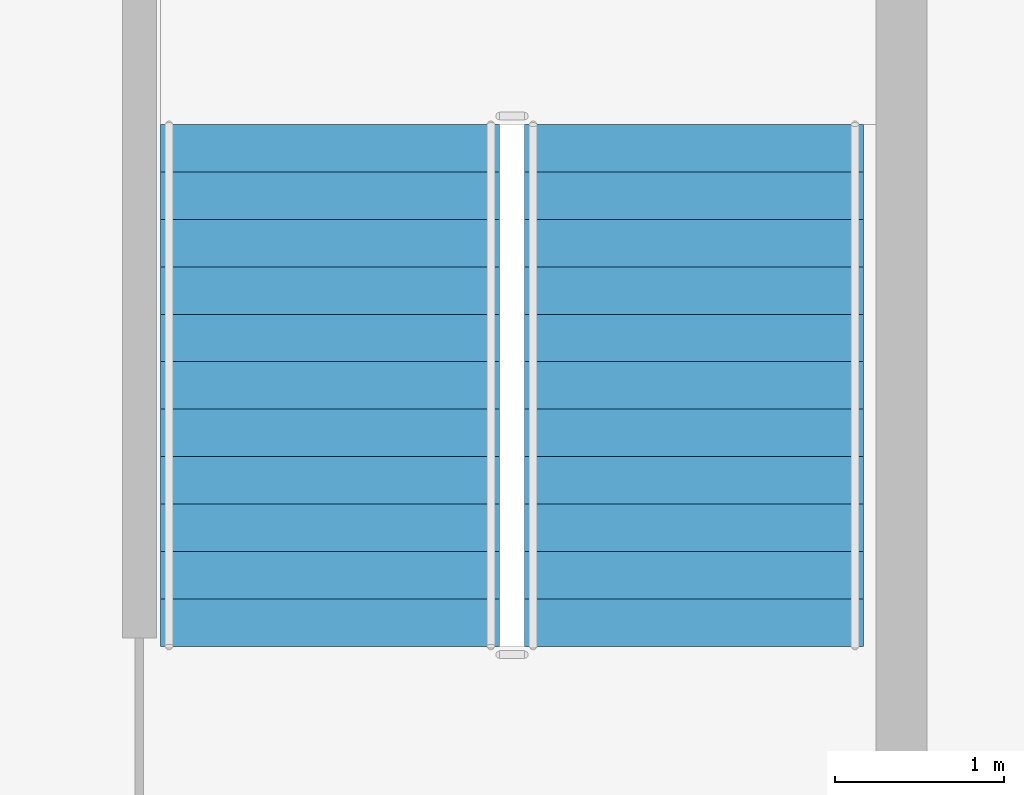
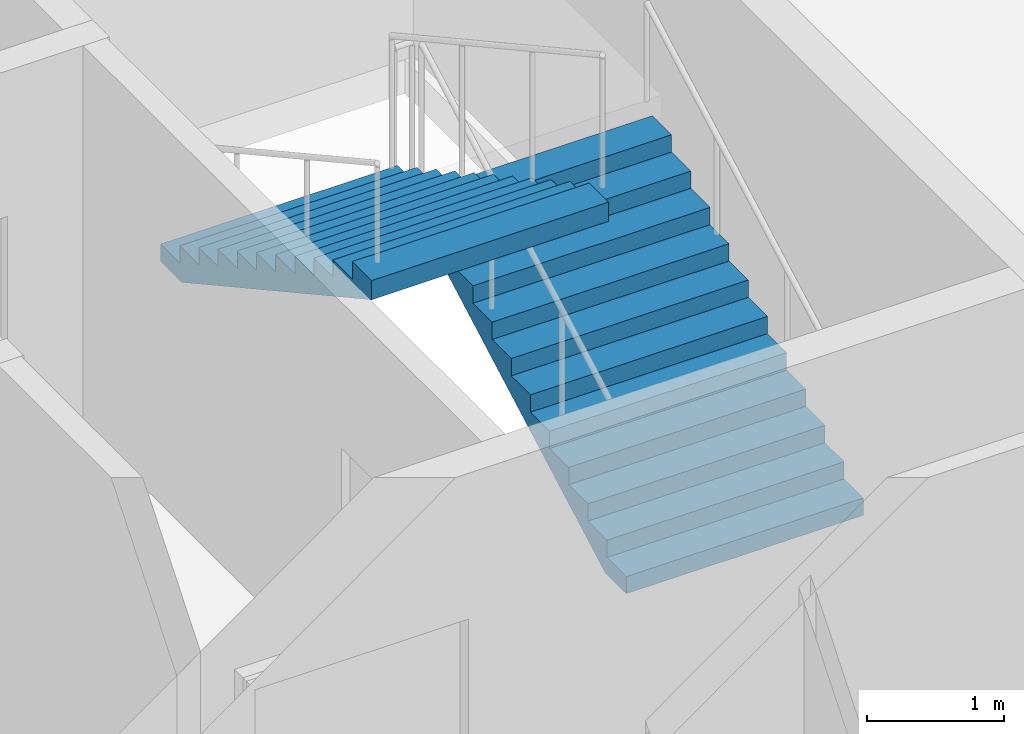
# One storey, part 8 of 11: 2 stair flights, 1 element without a shape of its own.
"""IFC4 building model written with IfcOpenShell, lengths in metres."""

from ifc_helpers import new_model, si_unit, direction, frame, origin, place, context, subcontext, project, spatial, polygons, material, type_object, element, aggregate, save


model = new_model("IFC4")

# Units and contexts
model_context = context("Model", 3, precision=1e-05, world=origin(), true_north=direction((0.0, 1.0)))
body_context = subcontext(model_context, "Body", "Model", "MODEL_VIEW")
ifc_project = project(units=[si_unit("LENGTHUNIT", "METRE"), si_unit("AREAUNIT", "SQUARE_METRE"), si_unit("VOLUMEUNIT", "CUBIC_METRE"), si_unit("PLANEANGLEUNIT", "RADIAN"), si_unit("MASSUNIT", "GRAM", prefix="KILO")], contexts=[model_context])

# Site, building, storey
site_placement = place(None, origin())
site = spatial("IfcSite", under=ifc_project, at=site_placement, CompositionType="ELEMENT")
building_placement = place(site_placement, origin())
building = spatial("IfcBuilding", under=site, at=building_placement, Name="Caravel Reach Hotel and Residences", CompositionType="ELEMENT")
storey_placement = place(building_placement, frame((0.0, 0.0, 298.199951171875)))
storey = spatial("IfcBuildingStorey", under=building, at=storey_placement, Name="L76", CompositionType="ELEMENT", Elevation=298.199951171875)

# Stair, stair flights
ifc_material_1 = material(Name="Concrete C40", Category="concrete")
stair_type = type_object("IfcStairType", Name="Core stair", PredefinedType="HALF_TURN_STAIR", material=ifc_material_1)
stair_placement = place(storey_placement, origin())
stair = element("IfcStair", 1, at=stair_placement, inside=storey, type_object=stair_type, Name="L76 Exit stair B", PredefinedType="HALF_TURN_STAIR")
ifc_material_2 = material(Name="Concrete C40", Category="concrete")
stair_flight_type = type_object("IfcStairFlightType", Name="Core stair flight", PredefinedType="STRAIGHT", material=ifc_material_2)
stair_flight_1_placement = place(storey_placement, frame((43.77490234375, 24.64990234375, 0.0), z_axis=(0.0, 0.0, 1.0), x_axis=(0.0, 1.0, 0.0)))
stair_flight_1 = element("IfcStairFlight", 2, at=stair_flight_1_placement, type_object=stair_flight_type, Name="ST-B flight 1", NumberOfRisers=12, NumberOfTreads=11, PredefinedType="STRAIGHT", RiserHeight=0.154166667, TreadLength=0.28, context=body_context, shape_type="Tessellation", body=[
    polygons([(0.3107950034306102, 1.0, 0.0), (0.3107950034306102, 0.6666666666666667, 0.0), (0.3107950034306102, 0.33333333333333337, 0.0), (0.3107950034306102, 0.0, 0.0), (0.3107950034306102, -0.33333333333333326, 0.0), (0.3107950034306102, -0.6666666666666667, 0.0), (0.3107950034306102, -1.0, 0.0), (3.081, 1.0, 1.524711087717319), (3.081, 0.6666666666666667, 1.524711087717319), (3.081, 0.33333333333333337, 1.524711087717319), (3.081, 0.0, 1.524711087717319), (3.081, -0.33333333333333326, 1.524711087717319), (3.081, -0.6666666666666667, 1.524711087717319), (3.081, -1.0, 1.524711087717319), (3.081, 1.0, 1.695833337), (3.081, 0.6666666666666667, 1.695833337), (3.081, 0.33333333333333337, 1.695833337), (3.081, 0.0, 1.695833337), (3.081, -0.33333333333333326, 1.695833337), (3.081, -0.6666666666666667, 1.695833337), (3.081, -1.0, 1.695833337), (2.8000000000000003, 1.0, 1.695833337), (2.8000000000000003, 0.6666666666666667, 1.695833337), (2.8000000000000003, 0.33333333333333337, 1.695833337), (2.8000000000000003, 0.0, 1.695833337), (2.8000000000000003, -0.33333333333333326, 1.695833337), (2.8000000000000003, -0.6666666666666667, 1.695833337), (2.8000000000000003, -1.0, 1.695833337), (2.8000000000000003, 1.0, 1.5416666700000001), (2.8000000000000003, 0.6666666666666667, 1.5416666700000001), (2.8000000000000003, 0.33333333333333337, 1.5416666700000001), (2.8000000000000003, 0.0, 1.5416666700000001), (2.8000000000000003, -0.33333333333333326, 1.5416666700000001), (2.8000000000000003, -0.6666666666666667, 1.5416666700000001), (2.8000000000000003, -1.0, 1.5416666700000001), (2.5200000000000005, 1.0, 1.5416666700000001), (2.5200000000000005, 0.6666666666666667, 1.5416666700000001), (2.5200000000000005, 0.33333333333333337, 1.5416666700000001), (2.5200000000000005, 0.0, 1.5416666700000001), (2.5200000000000005, -0.33333333333333326, 1.5416666700000001), (2.5200000000000005, -0.6666666666666667, 1.5416666700000001), (2.5200000000000005, -1.0, 1.5416666700000001), (2.5200000000000005, 1.0, 1.387500003), (2.5200000000000005, 0.6666666666666667, 1.387500003), (2.5200000000000005, 0.33333333333333337, 1.387500003), (2.5200000000000005, 0.0, 1.387500003), (2.5200000000000005, -0.33333333333333326, 1.387500003), (2.5200000000000005, -0.6666666666666667, 1.387500003), (2.5200000000000005, -1.0, 1.387500003), (2.24, 1.0, 1.387500003), (2.24, 0.6666666666666667, 1.387500003), (2.24, 0.33333333333333337, 1.387500003), (2.24, 0.0, 1.387500003), (2.24, -0.33333333333333326, 1.387500003), (2.24, -0.6666666666666667, 1.387500003), (2.24, -1.0, 1.387500003), (2.24, 1.0, 1.233333336), (2.24, 0.6666666666666667, 1.233333336), (2.24, 0.33333333333333337, 1.233333336), (2.24, 0.0, 1.233333336), (2.24, -0.33333333333333326, 1.233333336), (2.24, -0.6666666666666667, 1.233333336), (2.24, -1.0, 1.233333336), (1.9600000000000002, 1.0, 1.233333336), (1.9600000000000002, 0.6666666666666667, 1.233333336), (1.9600000000000002, 0.33333333333333337, 1.233333336), (1.9600000000000002, 0.0, 1.233333336), (1.9600000000000002, -0.33333333333333326, 1.233333336), (1.9600000000000002, -0.6666666666666667, 1.233333336), (1.9600000000000002, -1.0, 1.233333336), (1.9600000000000002, 1.0, 1.0791666690000001), (1.9600000000000002, 0.6666666666666667, 1.0791666690000001), (1.9600000000000002, 0.33333333333333337, 1.0791666690000001), (1.9600000000000002, 0.0, 1.0791666690000001), (1.9600000000000002, -0.33333333333333326, 1.0791666690000001), (1.9600000000000002, -0.6666666666666667, 1.0791666690000001), (1.9600000000000002, -1.0, 1.0791666690000001), (1.6800000000000002, 1.0, 1.0791666690000001), (1.6800000000000002, 0.6666666666666667, 1.0791666690000001), (1.6800000000000002, 0.33333333333333337, 1.0791666690000001), (1.6800000000000002, 0.0, 1.0791666690000001), (1.6800000000000002, -0.33333333333333326, 1.0791666690000001), (1.6800000000000002, -0.6666666666666667, 1.0791666690000001), (1.6800000000000002, -1.0, 1.0791666690000001), (1.6800000000000002, 1.0, 0.925000002), (1.6800000000000002, 0.6666666666666667, 0.925000002), (1.6800000000000002, 0.33333333333333337, 0.925000002), (1.6800000000000002, 0.0, 0.925000002), (1.6800000000000002, -0.33333333333333326, 0.925000002), (1.6800000000000002, -0.6666666666666667, 0.925000002), (1.6800000000000002, -1.0, 0.925000002), (1.4000000000000001, 1.0, 0.925000002), (1.4000000000000001, 0.6666666666666667, 0.925000002), (1.4000000000000001, 0.33333333333333337, 0.925000002), (1.4000000000000001, 0.0, 0.925000002), (1.4000000000000001, -0.33333333333333326, 0.925000002), (1.4000000000000001, -0.6666666666666667, 0.925000002), (1.4000000000000001, -1.0, 0.925000002), (1.4000000000000001, 1.0, 0.7708333350000001), (1.4000000000000001, 0.6666666666666667, 0.7708333350000001), (1.4000000000000001, 0.33333333333333337, 0.7708333350000001), (1.4000000000000001, 0.0, 0.7708333350000001), (1.4000000000000001, -0.33333333333333326, 0.7708333350000001), (1.4000000000000001, -0.6666666666666667, 0.7708333350000001), (1.4000000000000001, -1.0, 0.7708333350000001), (1.12, 1.0, 0.7708333350000001), (1.12, 0.6666666666666667, 0.7708333350000001), (1.12, 0.33333333333333337, 0.7708333350000001), (1.12, 0.0, 0.7708333350000001), (1.12, -0.33333333333333326, 0.7708333350000001), (1.12, -0.6666666666666667, 0.7708333350000001), (1.12, -1.0, 0.7708333350000001), (1.12, 1.0, 0.616666668), (1.12, 0.6666666666666667, 0.616666668), (1.12, 0.33333333333333337, 0.616666668), (1.12, 0.0, 0.616666668), (1.12, -0.33333333333333326, 0.616666668), (1.12, -0.6666666666666667, 0.616666668), (1.12, -1.0, 0.616666668), (0.8400000000000001, 1.0, 0.616666668), (0.8400000000000001, 0.6666666666666667, 0.616666668), (0.8400000000000001, 0.33333333333333337, 0.616666668), (0.8400000000000001, 0.0, 0.616666668), (0.8400000000000001, -0.33333333333333326, 0.616666668), (0.8400000000000001, -0.6666666666666667, 0.616666668), (0.8400000000000001, -1.0, 0.616666668), (0.8400000000000001, 1.0, 0.462500001), (0.8400000000000001, 0.6666666666666667, 0.462500001), (0.8400000000000001, 0.33333333333333337, 0.462500001), (0.8400000000000001, 0.0, 0.462500001), (0.8400000000000001, -0.33333333333333326, 0.462500001), (0.8400000000000001, -0.6666666666666667, 0.462500001), (0.8400000000000001, -1.0, 0.462500001), (0.56, 1.0, 0.462500001), (0.56, 0.6666666666666667, 0.462500001), (0.56, 0.33333333333333337, 0.462500001), (0.56, 0.0, 0.462500001), (0.56, -0.33333333333333326, 0.462500001), (0.56, -0.6666666666666667, 0.462500001), (0.56, -1.0, 0.462500001), (0.56, 1.0, 0.308333334), (0.56, 0.6666666666666667, 0.308333334), (0.56, 0.33333333333333337, 0.308333334), (0.56, 0.0, 0.308333334), (0.56, -0.33333333333333326, 0.308333334), (0.56, -0.6666666666666667, 0.308333334), (0.56, -1.0, 0.308333334), (0.28, 1.0, 0.308333334), (0.28, 0.6666666666666667, 0.308333334), (0.28, 0.33333333333333337, 0.308333334), (0.28, 0.0, 0.308333334), (0.28, -0.33333333333333326, 0.308333334), (0.28, -0.6666666666666667, 0.308333334), (0.28, -1.0, 0.308333334), (0.28, 1.0, 0.154166667), (0.28, 0.6666666666666667, 0.154166667), (0.28, 0.33333333333333337, 0.154166667), (0.28, 0.0, 0.154166667), (0.28, -0.33333333333333326, 0.154166667), (0.28, -0.6666666666666667, 0.154166667), (0.28, -1.0, 0.154166667), (-0.001, 1.0, 0.154166667), (-0.001, 0.6666666666666667, 0.154166667), (-0.001, 0.33333333333333337, 0.154166667), (-0.001, 0.0, 0.154166667), (-0.001, -0.33333333333333326, 0.154166667), (-0.001, -0.6666666666666667, 0.154166667), (-0.001, -1.0, 0.154166667), (-0.001, 1.0, 0.0), (-0.001, 0.6666666666666667, 0.0), (-0.001, 0.33333333333333337, 0.0), (-0.001, 0.0, 0.0), (-0.001, -0.33333333333333326, 0.0), (-0.001, -0.6666666666666667, 0.0), (-0.001, -1.0, 0.0)], [[[169, 162, 155, 148, 141, 134, 127, 120, 113, 106, 99, 92, 85, 78, 71, 64, 57, 50, 43, 36, 29, 22, 15, 8, 1]], [[7, 14, 21, 28, 35, 42, 49, 56, 63, 70, 77, 84, 91, 98, 105, 112, 119, 126, 133, 140, 147, 154, 161, 168, 175]], [[1, 8, 9, 2]], [[2, 9, 10, 3]], [[3, 10, 11, 4]], [[4, 11, 12, 5]], [[5, 12, 13, 6]], [[6, 13, 14, 7]], [[8, 15, 16, 9]], [[9, 16, 17, 10]], [[10, 17, 18, 11]], [[11, 18, 19, 12]], [[12, 19, 20, 13]], [[13, 20, 21, 14]], [[15, 22, 23, 16]], [[16, 23, 24, 17]], [[17, 24, 25, 18]], [[18, 25, 26, 19]], [[19, 26, 27, 20]], [[20, 27, 28, 21]], [[22, 29, 30, 23]], [[23, 30, 31, 24]], [[24, 31, 32, 25]], [[25, 32, 33, 26]], [[26, 33, 34, 27]], [[27, 34, 35, 28]], [[29, 36, 37, 30]], [[30, 37, 38, 31]], [[31, 38, 39, 32]], [[32, 39, 40, 33]], [[33, 40, 41, 34]], [[34, 41, 42, 35]], [[36, 43, 44, 37]], [[37, 44, 45, 38]], [[38, 45, 46, 39]], [[39, 46, 47, 40]], [[40, 47, 48, 41]], [[41, 48, 49, 42]], [[43, 50, 51, 44]], [[44, 51, 52, 45]], [[45, 52, 53, 46]], [[46, 53, 54, 47]], [[47, 54, 55, 48]], [[48, 55, 56, 49]], [[50, 57, 58, 51]], [[51, 58, 59, 52]], [[52, 59, 60, 53]], [[53, 60, 61, 54]], [[54, 61, 62, 55]], [[55, 62, 63, 56]], [[57, 64, 65, 58]], [[58, 65, 66, 59]], [[59, 66, 67, 60]], [[60, 67, 68, 61]], [[61, 68, 69, 62]], [[62, 69, 70, 63]], [[64, 71, 72, 65]], [[65, 72, 73, 66]], [[66, 73, 74, 67]], [[67, 74, 75, 68]], [[68, 75, 76, 69]], [[69, 76, 77, 70]], [[71, 78, 79, 72]], [[72, 79, 80, 73]], [[73, 80, 81, 74]], [[74, 81, 82, 75]], [[75, 82, 83, 76]], [[76, 83, 84, 77]], [[78, 85, 86, 79]], [[79, 86, 87, 80]], [[80, 87, 88, 81]], [[81, 88, 89, 82]], [[82, 89, 90, 83]], [[83, 90, 91, 84]], [[85, 92, 93, 86]], [[86, 93, 94, 87]], [[87, 94, 95, 88]], [[88, 95, 96, 89]], [[89, 96, 97, 90]], [[90, 97, 98, 91]], [[92, 99, 100, 93]], [[93, 100, 101, 94]], [[94, 101, 102, 95]], [[95, 102, 103, 96]], [[96, 103, 104, 97]], [[97, 104, 105, 98]], [[99, 106, 107, 100]], [[100, 107, 108, 101]], [[101, 108, 109, 102]], [[102, 109, 110, 103]], [[103, 110, 111, 104]], [[104, 111, 112, 105]], [[106, 113, 114, 107]], [[107, 114, 115, 108]], [[108, 115, 116, 109]], [[109, 116, 117, 110]], [[110, 117, 118, 111]], [[111, 118, 119, 112]], [[113, 120, 121, 114]], [[114, 121, 122, 115]], [[115, 122, 123, 116]], [[116, 123, 124, 117]], [[117, 124, 125, 118]], [[118, 125, 126, 119]], [[120, 127, 128, 121]], [[121, 128, 129, 122]], [[122, 129, 130, 123]], [[123, 130, 131, 124]], [[124, 131, 132, 125]], [[125, 132, 133, 126]], [[127, 134, 135, 128]], [[128, 135, 136, 129]], [[129, 136, 137, 130]], [[130, 137, 138, 131]], [[131, 138, 139, 132]], [[132, 139, 140, 133]], [[134, 141, 142, 135]], [[135, 142, 143, 136]], [[136, 143, 144, 137]], [[137, 144, 145, 138]], [[138, 145, 146, 139]], [[139, 146, 147, 140]], [[141, 148, 149, 142]], [[142, 149, 150, 143]], [[143, 150, 151, 144]], [[144, 151, 152, 145]], [[145, 152, 153, 146]], [[146, 153, 154, 147]], [[148, 155, 156, 149]], [[149, 156, 157, 150]], [[150, 157, 158, 151]], [[151, 158, 159, 152]], [[152, 159, 160, 153]], [[153, 160, 161, 154]], [[155, 162, 163, 156]], [[156, 163, 164, 157]], [[157, 164, 165, 158]], [[158, 165, 166, 159]], [[159, 166, 167, 160]], [[160, 167, 168, 161]], [[162, 169, 170, 163]], [[163, 170, 171, 164]], [[164, 171, 172, 165]], [[165, 172, 173, 166]], [[166, 173, 174, 167]], [[167, 174, 175, 168]], [[169, 1, 2, 170]], [[170, 2, 3, 171]], [[171, 3, 4, 172]], [[172, 4, 5, 173]], [[173, 5, 6, 174]], [[174, 6, 7, 175]]], closed=True),
])
stair_flight_2_placement = place(storey_placement, frame((41.625, 27.72998046875, 1.85009765625), z_axis=(0.0, 0.0, 1.0), x_axis=(0.0, -1.0, 0.0)))
stair_flight_2 = element("IfcStairFlight", 3, at=stair_flight_2_placement, type_object=stair_flight_type, Name="ST-B flight 2", NumberOfRisers=12, NumberOfTreads=11, PredefinedType="STRAIGHT", RiserHeight=0.154166667, TreadLength=0.28, context=body_context, shape_type="Tessellation", body=[
    polygons([(0.3107950034306102, 1.0, 0.0), (0.3107950034306102, 0.6666666666666667, 0.0), (0.3107950034306102, 0.33333333333333337, 0.0), (0.3107950034306102, 0.0, 0.0), (0.3107950034306102, -0.33333333333333326, 0.0), (0.3107950034306102, -0.6666666666666667, 0.0), (0.3107950034306102, -1.0, 0.0), (3.081, 1.0, 1.524711087717319), (3.081, 0.6666666666666667, 1.524711087717319), (3.081, 0.33333333333333337, 1.524711087717319), (3.081, 0.0, 1.524711087717319), (3.081, -0.33333333333333326, 1.524711087717319), (3.081, -0.6666666666666667, 1.524711087717319), (3.081, -1.0, 1.524711087717319), (3.081, 1.0, 1.695833337), (3.081, 0.6666666666666667, 1.695833337), (3.081, 0.33333333333333337, 1.695833337), (3.081, 0.0, 1.695833337), (3.081, -0.33333333333333326, 1.695833337), (3.081, -0.6666666666666667, 1.695833337), (3.081, -1.0, 1.695833337), (2.8000000000000003, 1.0, 1.695833337), (2.8000000000000003, 0.6666666666666667, 1.695833337), (2.8000000000000003, 0.33333333333333337, 1.695833337), (2.8000000000000003, 0.0, 1.695833337), (2.8000000000000003, -0.33333333333333326, 1.695833337), (2.8000000000000003, -0.6666666666666667, 1.695833337), (2.8000000000000003, -1.0, 1.695833337), (2.8000000000000003, 1.0, 1.5416666700000001), (2.8000000000000003, 0.6666666666666667, 1.5416666700000001), (2.8000000000000003, 0.33333333333333337, 1.5416666700000001), (2.8000000000000003, 0.0, 1.5416666700000001), (2.8000000000000003, -0.33333333333333326, 1.5416666700000001), (2.8000000000000003, -0.6666666666666667, 1.5416666700000001), (2.8000000000000003, -1.0, 1.5416666700000001), (2.5200000000000005, 1.0, 1.5416666700000001), (2.5200000000000005, 0.6666666666666667, 1.5416666700000001), (2.5200000000000005, 0.33333333333333337, 1.5416666700000001), (2.5200000000000005, 0.0, 1.5416666700000001), (2.5200000000000005, -0.33333333333333326, 1.5416666700000001), (2.5200000000000005, -0.6666666666666667, 1.5416666700000001), (2.5200000000000005, -1.0, 1.5416666700000001), (2.5200000000000005, 1.0, 1.387500003), (2.5200000000000005, 0.6666666666666667, 1.387500003), (2.5200000000000005, 0.33333333333333337, 1.387500003), (2.5200000000000005, 0.0, 1.387500003), (2.5200000000000005, -0.33333333333333326, 1.387500003), (2.5200000000000005, -0.6666666666666667, 1.387500003), (2.5200000000000005, -1.0, 1.387500003), (2.24, 1.0, 1.387500003), (2.24, 0.6666666666666667, 1.387500003), (2.24, 0.33333333333333337, 1.387500003), (2.24, 0.0, 1.387500003), (2.24, -0.33333333333333326, 1.387500003), (2.24, -0.6666666666666667, 1.387500003), (2.24, -1.0, 1.387500003), (2.24, 1.0, 1.233333336), (2.24, 0.6666666666666667, 1.233333336), (2.24, 0.33333333333333337, 1.233333336), (2.24, 0.0, 1.233333336), (2.24, -0.33333333333333326, 1.233333336), (2.24, -0.6666666666666667, 1.233333336), (2.24, -1.0, 1.233333336), (1.9600000000000002, 1.0, 1.233333336), (1.9600000000000002, 0.6666666666666667, 1.233333336), (1.9600000000000002, 0.33333333333333337, 1.233333336), (1.9600000000000002, 0.0, 1.233333336), (1.9600000000000002, -0.33333333333333326, 1.233333336), (1.9600000000000002, -0.6666666666666667, 1.233333336), (1.9600000000000002, -1.0, 1.233333336), (1.9600000000000002, 1.0, 1.0791666690000001), (1.9600000000000002, 0.6666666666666667, 1.0791666690000001), (1.9600000000000002, 0.33333333333333337, 1.0791666690000001), (1.9600000000000002, 0.0, 1.0791666690000001), (1.9600000000000002, -0.33333333333333326, 1.0791666690000001), (1.9600000000000002, -0.6666666666666667, 1.0791666690000001), (1.9600000000000002, -1.0, 1.0791666690000001), (1.6800000000000002, 1.0, 1.0791666690000001), (1.6800000000000002, 0.6666666666666667, 1.0791666690000001), (1.6800000000000002, 0.33333333333333337, 1.0791666690000001), (1.6800000000000002, 0.0, 1.0791666690000001), (1.6800000000000002, -0.33333333333333326, 1.0791666690000001), (1.6800000000000002, -0.6666666666666667, 1.0791666690000001), (1.6800000000000002, -1.0, 1.0791666690000001), (1.6800000000000002, 1.0, 0.925000002), (1.6800000000000002, 0.6666666666666667, 0.925000002), (1.6800000000000002, 0.33333333333333337, 0.925000002), (1.6800000000000002, 0.0, 0.925000002), (1.6800000000000002, -0.33333333333333326, 0.925000002), (1.6800000000000002, -0.6666666666666667, 0.925000002), (1.6800000000000002, -1.0, 0.925000002), (1.4000000000000001, 1.0, 0.925000002), (1.4000000000000001, 0.6666666666666667, 0.925000002), (1.4000000000000001, 0.33333333333333337, 0.925000002), (1.4000000000000001, 0.0, 0.925000002), (1.4000000000000001, -0.33333333333333326, 0.925000002), (1.4000000000000001, -0.6666666666666667, 0.925000002), (1.4000000000000001, -1.0, 0.925000002), (1.4000000000000001, 1.0, 0.7708333350000001), (1.4000000000000001, 0.6666666666666667, 0.7708333350000001), (1.4000000000000001, 0.33333333333333337, 0.7708333350000001), (1.4000000000000001, 0.0, 0.7708333350000001), (1.4000000000000001, -0.33333333333333326, 0.7708333350000001), (1.4000000000000001, -0.6666666666666667, 0.7708333350000001), (1.4000000000000001, -1.0, 0.7708333350000001), (1.12, 1.0, 0.7708333350000001), (1.12, 0.6666666666666667, 0.7708333350000001), (1.12, 0.33333333333333337, 0.7708333350000001), (1.12, 0.0, 0.7708333350000001), (1.12, -0.33333333333333326, 0.7708333350000001), (1.12, -0.6666666666666667, 0.7708333350000001), (1.12, -1.0, 0.7708333350000001), (1.12, 1.0, 0.616666668), (1.12, 0.6666666666666667, 0.616666668), (1.12, 0.33333333333333337, 0.616666668), (1.12, 0.0, 0.616666668), (1.12, -0.33333333333333326, 0.616666668), (1.12, -0.6666666666666667, 0.616666668), (1.12, -1.0, 0.616666668), (0.8400000000000001, 1.0, 0.616666668), (0.8400000000000001, 0.6666666666666667, 0.616666668), (0.8400000000000001, 0.33333333333333337, 0.616666668), (0.8400000000000001, 0.0, 0.616666668), (0.8400000000000001, -0.33333333333333326, 0.616666668), (0.8400000000000001, -0.6666666666666667, 0.616666668), (0.8400000000000001, -1.0, 0.616666668), (0.8400000000000001, 1.0, 0.462500001), (0.8400000000000001, 0.6666666666666667, 0.462500001), (0.8400000000000001, 0.33333333333333337, 0.462500001), (0.8400000000000001, 0.0, 0.462500001), (0.8400000000000001, -0.33333333333333326, 0.462500001), (0.8400000000000001, -0.6666666666666667, 0.462500001), (0.8400000000000001, -1.0, 0.462500001), (0.56, 1.0, 0.462500001), (0.56, 0.6666666666666667, 0.462500001), (0.56, 0.33333333333333337, 0.462500001), (0.56, 0.0, 0.462500001), (0.56, -0.33333333333333326, 0.462500001), (0.56, -0.6666666666666667, 0.462500001), (0.56, -1.0, 0.462500001), (0.56, 1.0, 0.308333334), (0.56, 0.6666666666666667, 0.308333334), (0.56, 0.33333333333333337, 0.308333334), (0.56, 0.0, 0.308333334), (0.56, -0.33333333333333326, 0.308333334), (0.56, -0.6666666666666667, 0.308333334), (0.56, -1.0, 0.308333334), (0.28, 1.0, 0.308333334), (0.28, 0.6666666666666667, 0.308333334), (0.28, 0.33333333333333337, 0.308333334), (0.28, 0.0, 0.308333334), (0.28, -0.33333333333333326, 0.308333334), (0.28, -0.6666666666666667, 0.308333334), (0.28, -1.0, 0.308333334), (0.28, 1.0, 0.154166667), (0.28, 0.6666666666666667, 0.154166667), (0.28, 0.33333333333333337, 0.154166667), (0.28, 0.0, 0.154166667), (0.28, -0.33333333333333326, 0.154166667), (0.28, -0.6666666666666667, 0.154166667), (0.28, -1.0, 0.154166667), (-0.001, 1.0, 0.154166667), (-0.001, 0.6666666666666667, 0.154166667), (-0.001, 0.33333333333333337, 0.154166667), (-0.001, 0.0, 0.154166667), (-0.001, -0.33333333333333326, 0.154166667), (-0.001, -0.6666666666666667, 0.154166667), (-0.001, -1.0, 0.154166667), (-0.001, 1.0, 0.0), (-0.001, 0.6666666666666667, 0.0), (-0.001, 0.33333333333333337, 0.0), (-0.001, 0.0, 0.0), (-0.001, -0.33333333333333326, 0.0), (-0.001, -0.6666666666666667, 0.0), (-0.001, -1.0, 0.0)], [[[169, 162, 155, 148, 141, 134, 127, 120, 113, 106, 99, 92, 85, 78, 71, 64, 57, 50, 43, 36, 29, 22, 15, 8, 1]], [[7, 14, 21, 28, 35, 42, 49, 56, 63, 70, 77, 84, 91, 98, 105, 112, 119, 126, 133, 140, 147, 154, 161, 168, 175]], [[1, 8, 9, 2]], [[2, 9, 10, 3]], [[3, 10, 11, 4]], [[4, 11, 12, 5]], [[5, 12, 13, 6]], [[6, 13, 14, 7]], [[8, 15, 16, 9]], [[9, 16, 17, 10]], [[10, 17, 18, 11]], [[11, 18, 19, 12]], [[12, 19, 20, 13]], [[13, 20, 21, 14]], [[15, 22, 23, 16]], [[16, 23, 24, 17]], [[17, 24, 25, 18]], [[18, 25, 26, 19]], [[19, 26, 27, 20]], [[20, 27, 28, 21]], [[22, 29, 30, 23]], [[23, 30, 31, 24]], [[24, 31, 32, 25]], [[25, 32, 33, 26]], [[26, 33, 34, 27]], [[27, 34, 35, 28]], [[29, 36, 37, 30]], [[30, 37, 38, 31]], [[31, 38, 39, 32]], [[32, 39, 40, 33]], [[33, 40, 41, 34]], [[34, 41, 42, 35]], [[36, 43, 44, 37]], [[37, 44, 45, 38]], [[38, 45, 46, 39]], [[39, 46, 47, 40]], [[40, 47, 48, 41]], [[41, 48, 49, 42]], [[43, 50, 51, 44]], [[44, 51, 52, 45]], [[45, 52, 53, 46]], [[46, 53, 54, 47]], [[47, 54, 55, 48]], [[48, 55, 56, 49]], [[50, 57, 58, 51]], [[51, 58, 59, 52]], [[52, 59, 60, 53]], [[53, 60, 61, 54]], [[54, 61, 62, 55]], [[55, 62, 63, 56]], [[57, 64, 65, 58]], [[58, 65, 66, 59]], [[59, 66, 67, 60]], [[60, 67, 68, 61]], [[61, 68, 69, 62]], [[62, 69, 70, 63]], [[64, 71, 72, 65]], [[65, 72, 73, 66]], [[66, 73, 74, 67]], [[67, 74, 75, 68]], [[68, 75, 76, 69]], [[69, 76, 77, 70]], [[71, 78, 79, 72]], [[72, 79, 80, 73]], [[73, 80, 81, 74]], [[74, 81, 82, 75]], [[75, 82, 83, 76]], [[76, 83, 84, 77]], [[78, 85, 86, 79]], [[79, 86, 87, 80]], [[80, 87, 88, 81]], [[81, 88, 89, 82]], [[82, 89, 90, 83]], [[83, 90, 91, 84]], [[85, 92, 93, 86]], [[86, 93, 94, 87]], [[87, 94, 95, 88]], [[88, 95, 96, 89]], [[89, 96, 97, 90]], [[90, 97, 98, 91]], [[92, 99, 100, 93]], [[93, 100, 101, 94]], [[94, 101, 102, 95]], [[95, 102, 103, 96]], [[96, 103, 104, 97]], [[97, 104, 105, 98]], [[99, 106, 107, 100]], [[100, 107, 108, 101]], [[101, 108, 109, 102]], [[102, 109, 110, 103]], [[103, 110, 111, 104]], [[104, 111, 112, 105]], [[106, 113, 114, 107]], [[107, 114, 115, 108]], [[108, 115, 116, 109]], [[109, 116, 117, 110]], [[110, 117, 118, 111]], [[111, 118, 119, 112]], [[113, 120, 121, 114]], [[114, 121, 122, 115]], [[115, 122, 123, 116]], [[116, 123, 124, 117]], [[117, 124, 125, 118]], [[118, 125, 126, 119]], [[120, 127, 128, 121]], [[121, 128, 129, 122]], [[122, 129, 130, 123]], [[123, 130, 131, 124]], [[124, 131, 132, 125]], [[125, 132, 133, 126]], [[127, 134, 135, 128]], [[128, 135, 136, 129]], [[129, 136, 137, 130]], [[130, 137, 138, 131]], [[131, 138, 139, 132]], [[132, 139, 140, 133]], [[134, 141, 142, 135]], [[135, 142, 143, 136]], [[136, 143, 144, 137]], [[137, 144, 145, 138]], [[138, 145, 146, 139]], [[139, 146, 147, 140]], [[141, 148, 149, 142]], [[142, 149, 150, 143]], [[143, 150, 151, 144]], [[144, 151, 152, 145]], [[145, 152, 153, 146]], [[146, 153, 154, 147]], [[148, 155, 156, 149]], [[149, 156, 157, 150]], [[150, 157, 158, 151]], [[151, 158, 159, 152]], [[152, 159, 160, 153]], [[153, 160, 161, 154]], [[155, 162, 163, 156]], [[156, 163, 164, 157]], [[157, 164, 165, 158]], [[158, 165, 166, 159]], [[159, 166, 167, 160]], [[160, 167, 168, 161]], [[162, 169, 170, 163]], [[163, 170, 171, 164]], [[164, 171, 172, 165]], [[165, 172, 173, 166]], [[166, 173, 174, 167]], [[167, 174, 175, 168]], [[169, 1, 2, 170]], [[170, 2, 3, 171]], [[171, 3, 4, 172]], [[172, 4, 5, 173]], [[173, 5, 6, 174]], [[174, 6, 7, 175]]], closed=True),
])
aggregate(stair, [stair_flight_1, stair_flight_2])

save(model, "model.ifc")
